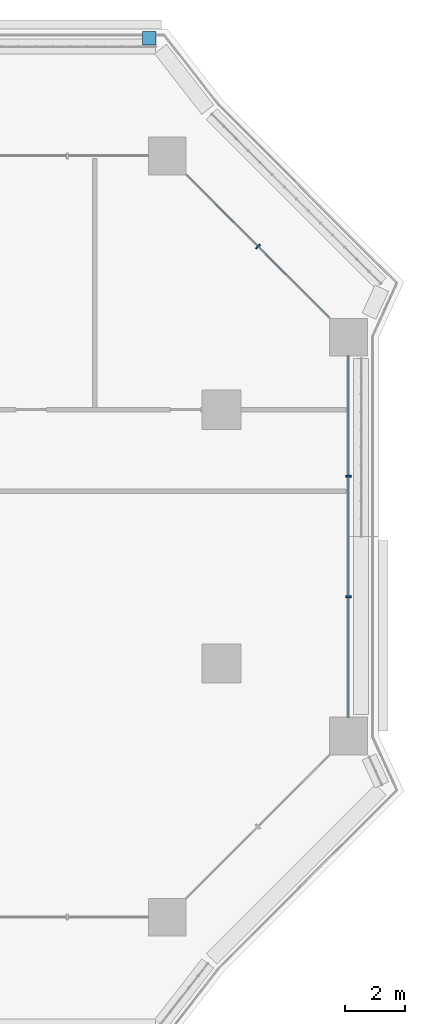
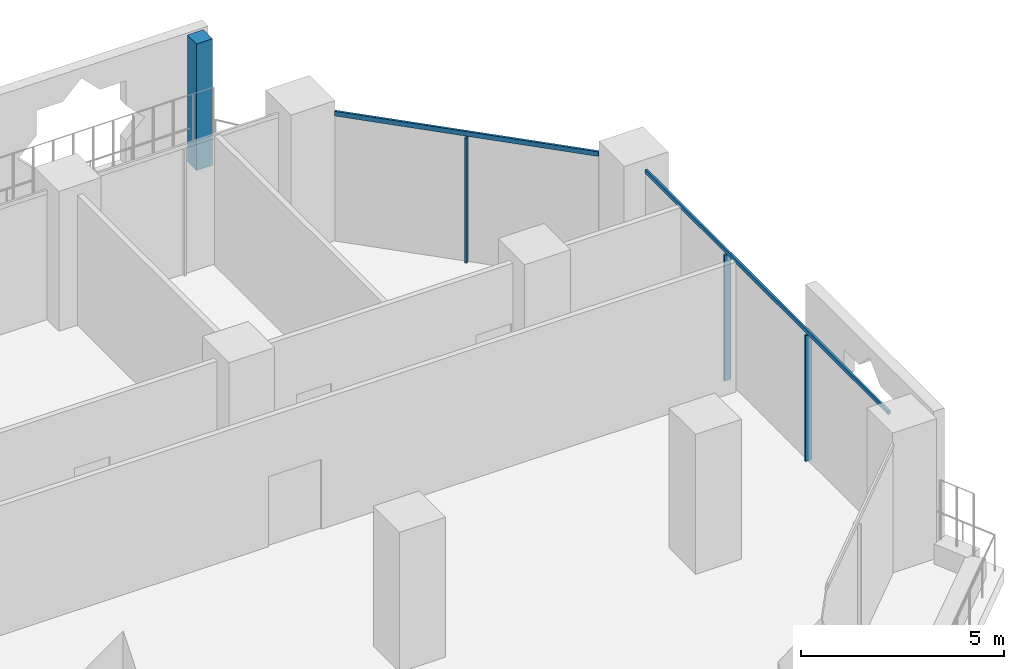
# One storey, part 10 of 27: 6 members, 3 elements without a shape of their own.
"""IFC4 building model written with IfcOpenShell, lengths in metres."""

import ifcopenshell
import ifcopenshell.guid

model = None  # the IFC model being written
_history = None  # IfcOwnerHistory: only IFC2X3 demands one
_inside = {}  # id of a spatial element -> (the spatial element, [elements in it])
_under = {}  # id of a project, library or spatial element -> (it, [spatial elements below it])
_declared = {}  # id of a project -> (the project, [libraries it declares])
_typed = {}  # id of a type object -> (the type object, [elements of that type])
_made_of = {}  # id of a material, layer set ... -> (it, [elements and type objects made of it])


def new_model(schema):
    """Start an empty IFC model of exactly this schema.

    Asked for "IFC4X3", IfcOpenShell would pick the latest addendum, in which some entities
    have other attributes; the version numbers below select the first issue.
    IFC2X3 requires an IfcOwnerHistory on every rooted entity: one is made here for all.
    """
    global model, _history
    if schema == "IFC4X3":
        model = ifcopenshell.file(schema_version=(4, 3, 0, 0))
    else:
        model = ifcopenshell.file(schema=schema)
    _inside.clear()
    _under.clear()
    _declared.clear()
    _typed.clear()
    _made_of.clear()
    _history = None
    if model.schema == "IFC2X3":
        org = make("IfcOrganization", Name="unknown")
        user = make(
            "IfcPersonAndOrganization",
            ThePerson=make("IfcPerson", FamilyName="unknown"),
            TheOrganization=org,
        )
        app = make(
            "IfcApplication",
            ApplicationDeveloper=org,
            Version="unknown",
            ApplicationFullName="unknown",
            ApplicationIdentifier="unknown",
        )
        _history = make(
            "IfcOwnerHistory",
            OwningUser=user,
            OwningApplication=app,
            ChangeAction="ADDED",
            CreationDate=0,
        )
    return model


def make(cls, **values):
    """One entity of the class cls with the attributes given. An attribute that is None is left unset."""
    return model.create_entity(
        cls, **{name: value for name, value in values.items() if value is not None}
    )


def rooted(cls, **values):
    """An entity with a GlobalId (a new one), such as an element, a storey or a relation."""
    return make(cls, GlobalId=ifcopenshell.guid.new(), OwnerHistory=_history, **values)


def si_unit(unit_type, name, prefix=None):
    """IfcSIUnit, for example si_unit("LENGTHUNIT", "METRE", prefix="MILLI")."""
    return make("IfcSIUnit", UnitType=unit_type, Prefix=prefix, Name=name)


def assignment(units):
    """IfcUnitAssignment: the units of a project."""
    return None if units is None else make("IfcUnitAssignment", Units=units)


def point(xyz):
    """IfcCartesianPoint."""
    return None if xyz is None else make("IfcCartesianPoint", Coordinates=xyz)


def direction(xyz):
    """IfcDirection."""
    return None if xyz is None else make("IfcDirection", DirectionRatios=xyz)


def frame(location, z_axis=None, x_axis=None):
    """IfcAxis2Placement3D, a coordinate frame: its origin and axes. An axis left out is left unset."""
    return make(
        "IfcAxis2Placement3D",
        Location=point(location),
        Axis=direction(z_axis),
        RefDirection=direction(x_axis),
    )


def frame_2d(location, x_axis=None):
    """IfcAxis2Placement2D, a coordinate frame in the plane: its origin and x axis."""
    return make(
        "IfcAxis2Placement2D", Location=point(location), RefDirection=direction(x_axis)
    )


def origin():
    """The frame at (0, 0, 0) with its axes left unset."""
    return frame((0.0, 0.0, 0.0))


def origin_2d():
    """The frame at (0, 0) in the plane with its x axis left unset."""
    return frame_2d((0.0, 0.0))


def place(relative_to, where):
    """IfcLocalPlacement: puts the frame where relative to a parent placement (None: the world)."""
    return make(
        "IfcLocalPlacement", PlacementRelTo=relative_to, RelativePlacement=where
    )


def context(
    kind, dimensions, precision=None, world=None, true_north=None, identifier=None
):
    """IfcGeometricRepresentationContext, for example the 3D "Model" context."""
    return make(
        "IfcGeometricRepresentationContext",
        ContextIdentifier=identifier,
        ContextType=kind,
        CoordinateSpaceDimension=dimensions,
        Precision=precision,
        WorldCoordinateSystem=world,
        TrueNorth=true_north,
    )


def subcontext(parent, identifier, kind, view, scale=None):
    """IfcGeometricRepresentationSubContext, for example "Body" below "Model"."""
    return make(
        "IfcGeometricRepresentationSubContext",
        ContextIdentifier=identifier,
        ContextType=kind,
        ParentContext=parent,
        TargetScale=scale,
        TargetView=view,
    )


def project(units=None, contexts=None):
    """IfcProject with its units and contexts."""
    return rooted(
        "IfcProject",
        Name="project",
        RepresentationContexts=contexts,
        UnitsInContext=assignment(units),
    )


def spatial(cls, under=None, at=None, **own):
    """A site, building, storey or space (cls), placed at a placement, below another one or the project."""
    s = rooted(cls, ObjectPlacement=at, **own)
    if under is not None:
        _under.setdefault(under.id(), (under, []))[1].append(s)
    return s


def profile(cls, at=None, kind="AREA", **sizes):
    """A parametric profile (cls). Its sizes go by their IFC names, for example OverallWidth=200.0."""
    return make(cls, ProfileType=kind, Position=at, **sizes)


def rectangle(**sizes):
    """IfcRectangleProfileDef."""
    return profile("IfcRectangleProfileDef", **sizes)


def extrude(swept, where, along, depth):
    """IfcExtrudedAreaSolid: the profile swept, set in the frame where, extruded along a direction by depth."""
    return make(
        "IfcExtrudedAreaSolid",
        SweptArea=swept,
        Position=where,
        ExtrudedDirection=direction(along),
        Depth=depth,
    )


def shape(context_of_items, identifier, shape_type, items):
    """IfcShapeRepresentation: the items that make up one representation, for example the "Body"."""
    return make(
        "IfcShapeRepresentation",
        ContextOfItems=context_of_items,
        RepresentationIdentifier=identifier,
        RepresentationType=shape_type,
        Items=items,
    )


def material(Name=None, Category=None):
    """IfcMaterial."""
    return make("IfcMaterial", Name=Name, Category=Category)


def layer(
    of_material, thickness, ventilated=None, Name=None, Category=None, Priority=None
):
    """IfcMaterialLayer: one layer of a wall or slab, of a material (None: an air gap)."""
    return make(
        "IfcMaterialLayer",
        Material=of_material,
        LayerThickness=thickness,
        IsVentilated=ventilated,
        Name=Name,
        Category=Category,
        Priority=Priority,
    )


def layer_set(layers, Name=None):
    """IfcMaterialLayerSet."""
    return make("IfcMaterialLayerSet", MaterialLayers=layers, LayerSetName=Name)


def material_profile(
    of_material, cross_section, Name=None, Category=None, Priority=None
):
    """IfcMaterialProfile: a cross section and its material."""
    return make(
        "IfcMaterialProfile",
        Name=Name,
        Material=of_material,
        Profile=cross_section,
        Priority=Priority,
        Category=Category,
    )


def profile_set(profiles, Name=None, composite=None):
    """IfcMaterialProfileSet."""
    return make(
        "IfcMaterialProfileSet",
        Name=Name,
        MaterialProfiles=profiles,
        CompositeProfile=composite,
    )


def made_of(thing, what):
    """Note that an element or type object is made of a material, layer set ...; save() writes the relation."""
    if what is not None:
        _made_of.setdefault(what.id(), (what, []))[1].append(thing)
    return thing


def type_object(cls, material=None, **own):
    """A type object (cls), such as IfcWallType, which elements share."""
    return made_of(rooted(cls, **own), material)


def element(
    cls,
    number,
    at=None,
    inside=None,
    cuts=None,
    type_object=None,
    material=None,
    context=None,
    identifier="Body",
    shape_type=None,
    held_by="IfcProductDefinitionShape",
    body=None,
    shapes=None,
    **own,
):
    """One element of the class cls, such as IfcWall. Its Tag is "e" and its number.

    at: its placement. inside: the storey or other place that contains it. cuts: it is an
    opening in that element (IfcRelVoidsElement). A single representation is given by context,
    identifier, shape_type and body (its items); several are given by shapes. held_by: the class
    of the entity that holds the representations. save() writes the other relations.
    """
    e = rooted(cls, Tag="e%d" % number, ObjectPlacement=at, **own)
    if body is not None:
        shapes = [shape(context, identifier, shape_type, body)]
    if shapes is not None:
        e.Representation = make(held_by, Representations=shapes)
    if inside is not None:
        _inside.setdefault(inside.id(), (inside, []))[1].append(e)
    if cuts is not None:
        rooted(
            "IfcRelVoidsElement", RelatingBuildingElement=cuts, RelatedOpeningElement=e
        )
    if type_object is not None:
        _typed.setdefault(type_object.id(), (type_object, []))[1].append(e)
    return made_of(e, material)


def aggregate(whole, parts):
    """IfcRelAggregates: a whole, such as a stair, and the parts it consists of."""
    return rooted("IfcRelAggregates", RelatingObject=whole, RelatedObjects=parts)


def save(model, path):
    """Write the relations noted so far, then the file.

    IfcRelAggregates (storeys below a building ...), IfcRelContainedInSpatialStructure (elements
    in a storey), IfcRelDefinesByType, IfcRelAssociatesMaterial and IfcRelDeclares: one each for
    every whole, place, type object, material and project.
    """
    for whole, parts in _under.values():
        aggregate(whole, parts)
    for where, things in _inside.values():
        rooted(
            "IfcRelContainedInSpatialStructure",
            RelatedElements=things,
            RelatingStructure=where,
        )
    for kind, things in _typed.values():
        rooted("IfcRelDefinesByType", RelatedObjects=things, RelatingType=kind)
    for what, things in _made_of.values():
        rooted("IfcRelAssociatesMaterial", RelatedObjects=things, RelatingMaterial=what)
    for by, libraries in _declared.values():
        rooted("IfcRelDeclares", RelatingContext=by, RelatedDefinitions=libraries)
    model.write(path)


model = new_model("IFC4")

# Units and contexts
model_context = context("Model", 3, precision=1e-05, world=origin(), true_north=direction((0.0, 1.0)))
body_context = subcontext(model_context, "Body", "Model", "MODEL_VIEW")
ifc_project = project(units=[si_unit("LENGTHUNIT", "METRE"), si_unit("AREAUNIT", "SQUARE_METRE"), si_unit("VOLUMEUNIT", "CUBIC_METRE"), si_unit("PLANEANGLEUNIT", "RADIAN"), si_unit("MASSUNIT", "GRAM", prefix="KILO")], contexts=[model_context])

# Site, building, storey
site_placement = place(None, origin())
site = spatial("IfcSite", under=ifc_project, at=site_placement, CompositionType="ELEMENT")
building_placement = place(site_placement, origin())
building = spatial("IfcBuilding", under=site, at=building_placement, Name="Kawkab Arch Medical Tower", CompositionType="ELEMENT")
storey_placement = place(building_placement, frame((0.0, 0.0, 43.39990234375)))
storey = spatial("IfcBuildingStorey", under=building, at=storey_placement, Name="L09", CompositionType="ELEMENT", Elevation=43.39990234375)

# Curtain wall, members
ifc_material_1 = material(Name="Bronze anodised aluminium curtain wall frame", Category="aluminium")
ifc_layer_1 = layer(ifc_material_1, 0.159912109375)
ifc_layer_set_1 = layer_set([ifc_layer_1], Name="Bronze anodised aluminium curtain wall frame")
curtain_wall_type_1 = type_object("IfcCurtainWallType", Name="CW1 ward curtain wall", PredefinedType="NOTDEFINED", material=ifc_layer_set_1)
placement = place(storey_placement, origin())
curtain_wall_1 = element("IfcCurtainWall", 1, at=placement, inside=storey, type_object=curtain_wall_type_1, Name="CW1 Ward curtain wall R07", PredefinedType="NOTDEFINED")
ifc_material_2 = material(Name="Bronze anodised aluminium curtain wall frame", Category="aluminium")
ifc_material_profile_1 = material_profile(ifc_material_2, rectangle(XDim=0.179931640625, YDim=0.06005859375, at=origin_2d()), Name="AL 60x180")
ifc_profile_set_1 = profile_set([ifc_material_profile_1], Name="Bronze anodised aluminium curtain wall frame")
member_type_1 = type_object("IfcMemberType", Name="CW1 mullion 60 x 180", PredefinedType="MULLION", material=ifc_profile_set_1)
member_1_placement = place(storey_placement, frame((79.800048828125, -14.591552734375, 0.0), z_axis=(0.0, 0.0, 1.0), x_axis=(-1.0, 0.0, 0.0)))
member_1 = element("IfcMember", 2, at=member_1_placement, type_object=member_type_1, Name="CW1 mullion 1.1", PredefinedType="MULLION", context=body_context, shape_type="SweptSolid", body=[
    extrude(rectangle(XDim=0.179931640625, YDim=0.06005859375, at=origin_2d()), origin(), (0.0, 0.0, 1.0), 3.780029296875),
])
member_2_placement = place(storey_placement, frame((79.800048828125, -10.6083984375, 0.0), z_axis=(0.0, 0.0, 1.0), x_axis=(-1.0, 0.0, 0.0)))
member_2 = element("IfcMember", 3, at=member_2_placement, type_object=member_type_1, Name="CW1 mullion 1.2", PredefinedType="MULLION", context=body_context, shape_type="SweptSolid", body=[
    extrude(rectangle(XDim=0.179931640625, YDim=0.06005859375, at=origin_2d()), origin(), (0.0, 0.0, 1.0), 3.780029296875),
])
ifc_material_3 = material(Name="Bronze anodised aluminium curtain wall frame", Category="aluminium")
ifc_material_profile_2 = material_profile(ifc_material_3, rectangle(XDim=0.06005859375, YDim=0.1201171875, at=origin_2d()), Name="AL 60x120")
ifc_profile_set_2 = profile_set([ifc_material_profile_2], Name="Bronze anodised aluminium curtain wall frame")
member_type_2 = type_object("IfcMemberType", Name="CW1 transom 120 x 60", PredefinedType="USERDEFINED", material=ifc_profile_set_2)
member_3_placement = place(storey_placement, frame((79.800048828125, -18.574951171875, 3.840087890625), z_axis=(0.0, 1.0, 0.0), x_axis=(-1.0, 0.0, 0.0)))
member_3 = element("IfcMember", 4, at=member_3_placement, type_object=member_type_2, Name="CW1 transom 1", ObjectType="TRANSOM", PredefinedType="USERDEFINED", context=body_context, shape_type="SweptSolid", body=[
    extrude(rectangle(XDim=0.06005859375, YDim=0.1201171875, at=origin_2d()), origin(), (0.0, 0.0, 1.0), 11.949951171875),
])
aggregate(curtain_wall_1, [member_3, member_1, member_2])

ifc_material_4 = material(Name="Bronze anodised aluminium curtain wall frame", Category="aluminium")
ifc_layer_2 = layer(ifc_material_4, 0.159912109375)
ifc_layer_set_2 = layer_set([ifc_layer_2], Name="Bronze anodised aluminium curtain wall frame")
curtain_wall_type_2 = type_object("IfcCurtainWallType", Name="CW2 chamfer curtain wall", PredefinedType="NOTDEFINED", material=ifc_layer_set_2)
curtain_wall_2 = element("IfcCurtainWall", 5, at=placement, inside=storey, type_object=curtain_wall_type_2, Name="CW2 Chamfer curtain wall R08", PredefinedType="NOTDEFINED")
ifc_material_5 = material(Name="Bronze anodised aluminium curtain wall frame", Category="aluminium")
ifc_material_profile_3 = material_profile(ifc_material_5, rectangle(XDim=0.199951171875, YDim=0.06005859375, at=origin_2d()), Name="AL 60x200")
ifc_profile_set_3 = profile_set([ifc_material_profile_3], Name="Bronze anodised aluminium curtain wall frame")
member_type_3 = type_object("IfcMemberType", Name="CW2 mullion 60 x 200", PredefinedType="MULLION", material=ifc_profile_set_3)
member_4_placement = place(storey_placement, frame((76.800048828125, -3.0, 0.0), z_axis=(0.0, 0.0, 1.0), x_axis=(-0.707106781187, -0.707106781187, 0.0)))
member_4 = element("IfcMember", 6, at=member_4_placement, type_object=member_type_3, Name="CW2 mullion 1.1", PredefinedType="MULLION", context=body_context, shape_type="SweptSolid", body=[
    extrude(rectangle(XDim=0.199951171875, YDim=0.06005859375, at=origin_2d()), origin(), (0.0, 0.0, 1.0), 3.760009765625),
])
ifc_material_6 = material(Name="Bronze anodised aluminium curtain wall frame", Category="aluminium")
ifc_material_profile_4 = material_profile(ifc_material_6, rectangle(XDim=0.06005859375, YDim=0.139892578125, at=origin_2d()), Name="AL 60x140")
ifc_profile_set_4 = profile_set([ifc_material_profile_4], Name="Bronze anodised aluminium curtain wall frame")
member_type_4 = type_object("IfcMemberType", Name="CW2 transom 140 x 60", PredefinedType="USERDEFINED", material=ifc_profile_set_4)
member_5_placement = place(storey_placement, frame((79.175048828125, -5.375, 3.830078125), z_axis=(-0.707106781187, 0.707106781187, 0.0), x_axis=(-0.707106781187, -0.707106781187, 0.0)))
member_5 = element("IfcMember", 7, at=member_5_placement, type_object=member_type_4, Name="CW2 transom 1", ObjectType="TRANSOM", PredefinedType="USERDEFINED", context=body_context, shape_type="SweptSolid", body=[
    extrude(rectangle(XDim=0.06005859375, YDim=0.139892578125, at=origin_2d()), origin(), (0.0, 0.0, 1.0), 6.717529296875),
])
aggregate(curtain_wall_2, [member_5, member_4])

# Curtain wall, member
ifc_material_7 = material(Name="Bronze anodised aluminium climber frame, planted", Category="aluminium")
ifc_layer_3 = layer(ifc_material_7, 0.449951171875)
ifc_layer_set_3 = layer_set([ifc_layer_3], Name="Bronze anodised aluminium climber frame, planted")
curtain_wall_type_3 = type_object("IfcCurtainWallType", Name="Planted climber frame", PredefinedType="NOTDEFINED", material=ifc_layer_set_3)
curtain_wall_3 = element("IfcCurtainWall", 8, at=placement, inside=storey, type_object=curtain_wall_type_3, Name="Planted climber frame L09", PredefinedType="NOTDEFINED")
ifc_material_8 = material(Name="Bronze anodised aluminium climber frame, planted", Category="aluminium")
ifc_material_profile_5 = material_profile(ifc_material_8, rectangle(XDim=0.449951171875, YDim=0.449951171875, at=origin_2d()), Name="Post 450x450")
ifc_profile_set_5 = profile_set([ifc_material_profile_5], Name="Bronze anodised aluminium climber frame, planted")
member_type_5 = type_object("IfcMemberType", Name="Planted climber post 450 x 450", PredefinedType="MULLION", material=ifc_profile_set_5)
member_6_placement = place(storey_placement, frame((73.202880859375, 3.89990234375, 0.0), z_axis=(0.0, 0.0, 1.0), x_axis=(1.0, 0.0, 0.0)))
member_6 = element("IfcMember", 9, at=member_6_placement, type_object=member_type_5, Name="Planted climber post L09.LOG-01-02.4", PredefinedType="MULLION", context=body_context, shape_type="SweptSolid", body=[
    extrude(rectangle(XDim=0.449951171875, YDim=0.449951171875, at=origin_2d()), origin(), (0.0, 0.0, 1.0), 3.800048828125),
])
aggregate(curtain_wall_3, [member_6])

save(model, "model.ifc")
